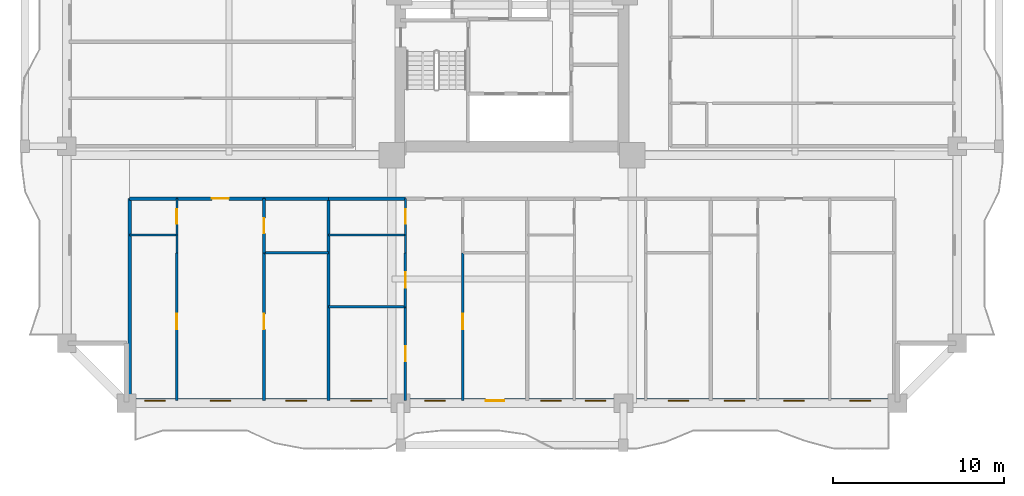
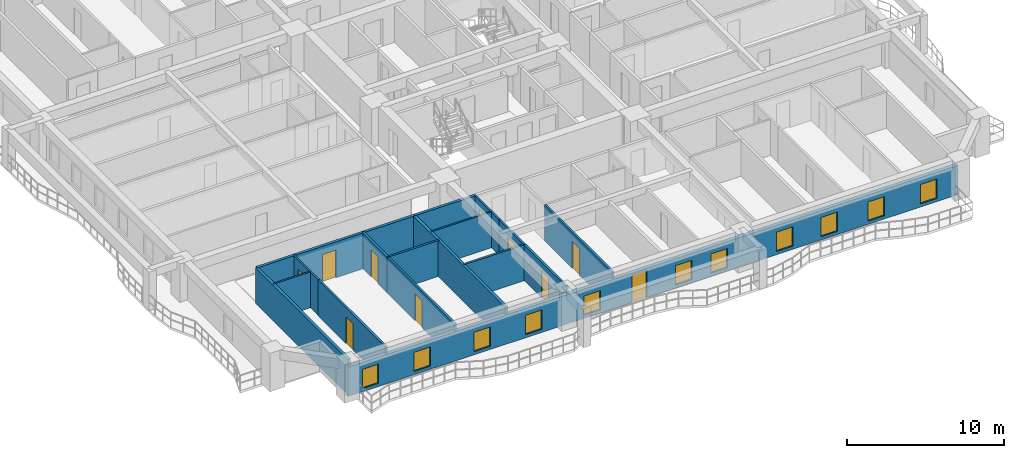
# One storey, part 2 of 16: 21 walls, 11 windows, 10 doors, 21 openings.
"""IFC4 building model written with IfcOpenShell, lengths in metres."""

from ifc_helpers import new_model, si_unit, direction, frame, frame_2d, origin, place, context, subcontext, project, spatial, rectangle, extrude, source, transform, mapped, material, layer, layer_set, type_object, element, fill, save


model = new_model("IFC4")

# Units and contexts
model_context = context("Model", 3, precision=1e-05, world=origin(), true_north=direction((0.0, 1.0)))
body_context = subcontext(model_context, "Body", "Model", "MODEL_VIEW")
ifc_project = project(units=[si_unit("LENGTHUNIT", "METRE"), si_unit("AREAUNIT", "SQUARE_METRE"), si_unit("VOLUMEUNIT", "CUBIC_METRE"), si_unit("PLANEANGLEUNIT", "RADIAN"), si_unit("MASSUNIT", "GRAM", prefix="KILO")], contexts=[model_context])

# Site, building, storey
site_placement = place(None, origin())
site = spatial("IfcSite", under=ifc_project, at=site_placement, CompositionType="ELEMENT")
building_placement = place(site_placement, origin())
building = spatial("IfcBuilding", under=site, at=building_placement, Name="Saelheon Loggia Tower", CompositionType="ELEMENT")
storey_placement = place(building_placement, frame((0.0, 0.0, 28.39990234375)))
storey = spatial("IfcBuildingStorey", under=building, at=storey_placement, Name="L08", CompositionType="ELEMENT", Elevation=28.39990234375)

# Wall, openings, windows, door
ifc_material_1 = material(Name="Architectural Precast Concrete C40/50", Category="concrete")
ifc_layer_1 = layer(ifc_material_1, 0.280029296875)
ifc_layer_set_1 = layer_set([ifc_layer_1], Name="Architectural Precast Concrete C40/50")
wall_type_1 = type_object("IfcWallType", Name="Wall_Ext_Loggia_280", PredefinedType="SOLIDWALL", material=ifc_layer_set_1)
wall_1_placement = place(storey_placement, frame((15.5, 3.139892578125, 0.0), z_axis=(0.0, 0.0, 1.0), x_axis=(1.0, 0.0, 0.0)))
wall_1 = element("IfcWall", 1, at=wall_1_placement, inside=storey, type_object=wall_type_1, Name="L08 South Loggia Inner Wall", PredefinedType="SOLIDWALL", context=body_context, shape_type="SweptSolid", body=[
    extrude(rectangle(XDim=45.0, YDim=0.280029296875, at=frame_2d((22.5, 0.0))), origin(), (0.0, 0.0, 1.0), 2.280029296875),
])
opening_1_placement = place(wall_1_placement, frame((1.06005859375, 0.0, 0.25)))
opening_1 = element("IfcOpeningElement", 2, at=opening_1_placement, cuts=wall_1, Name="Opening WN-03", PredefinedType="OPENING", context=body_context, shape_type="SweptSolid", body=[
    extrude(rectangle(XDim=1.199951171875, YDim=1.5, at=frame_2d((0.60009765625, 0.75))), frame((0.0, 0.152099609375, 0.0), z_axis=(0.0, -1.0, 0.0), x_axis=(1.0, 0.0, 0.0)), (0.0, 0.0, 1.0), 0.303955078125),
])
opening_2_placement = place(wall_1_placement, frame((4.875244140625, 0.0, 0.25)))
opening_2 = element("IfcOpeningElement", 3, at=opening_2_placement, cuts=wall_1, Name="Opening WN-03", PredefinedType="OPENING", context=body_context, shape_type="SweptSolid", body=[
    extrude(rectangle(XDim=1.199951171875, YDim=1.5, at=frame_2d((0.60009765625, 0.75))), frame((0.0, 0.152099609375, 0.0), z_axis=(0.0, -1.0, 0.0), x_axis=(1.0, 0.0, 0.0)), (0.0, 0.0, 1.0), 0.303955078125),
])
opening_3_placement = place(wall_1_placement, frame((9.303466796875, 0.0, 0.25)))
opening_3 = element("IfcOpeningElement", 4, at=opening_3_placement, cuts=wall_1, Name="Opening WN-03", PredefinedType="OPENING", context=body_context, shape_type="SweptSolid", body=[
    extrude(rectangle(XDim=1.199951171875, YDim=1.5, at=frame_2d((0.60009765625, 0.75))), frame((0.0, 0.152099609375, 0.0), z_axis=(0.0, -1.0, 0.0), x_axis=(1.0, 0.0, 0.0)), (0.0, 0.0, 1.0), 0.303955078125),
])
opening_4_placement = place(wall_1_placement, frame((13.09814453125, 0.0, 0.25)))
opening_4 = element("IfcOpeningElement", 5, at=opening_4_placement, cuts=wall_1, Name="Opening WN-03", PredefinedType="OPENING", context=body_context, shape_type="SweptSolid", body=[
    extrude(rectangle(XDim=1.199951171875, YDim=1.5, at=frame_2d((0.60009765625, 0.75))), frame((0.0, 0.152099609375, 0.0), z_axis=(0.0, -1.0, 0.0), x_axis=(1.0, 0.0, 0.0)), (0.0, 0.0, 1.0), 0.303955078125),
])
opening_5_placement = place(wall_1_placement, frame((17.408447265625, 0.0, 0.25)))
opening_5 = element("IfcOpeningElement", 6, at=opening_5_placement, cuts=wall_1, Name="Opening WN-03", PredefinedType="OPENING", context=body_context, shape_type="SweptSolid", body=[
    extrude(rectangle(XDim=1.199951171875, YDim=1.5, at=frame_2d((0.60009765625, 0.75))), frame((0.0, 0.152099609375, 0.0), z_axis=(0.0, -1.0, 0.0), x_axis=(1.0, 0.0, 0.0)), (0.0, 0.0, 1.0), 0.303955078125),
])
opening_6_placement = place(wall_1_placement, frame((22.059814453125, 0.0, 0.0), z_axis=(0.0, 0.0, 1.0), x_axis=(-1.0, 0.0, 0.0)))
opening_6 = element("IfcOpeningElement", 7, at=opening_6_placement, cuts=wall_1, Name="Opening TD1", PredefinedType="OPENING", context=body_context, shape_type="SweptSolid", body=[
    extrude(rectangle(XDim=1.10009765625, YDim=2.14990234375, at=frame_2d((0.550048828125, 1.074951171875))), frame((0.0, 0.152099609375, 0.0), z_axis=(0.0, -1.0, 0.0), x_axis=(1.0, 0.0, 0.0)), (0.0, 0.0, 1.0), 0.303955078125),
])
opening_7_placement = place(wall_1_placement, frame((24.167724609375, 0.0, 0.25)))
opening_7 = element("IfcOpeningElement", 8, at=opening_7_placement, cuts=wall_1, Name="Opening WN-03", PredefinedType="OPENING", context=body_context, shape_type="SweptSolid", body=[
    extrude(rectangle(XDim=1.199951171875, YDim=1.5, at=frame_2d((0.60009765625, 0.75))), frame((0.0, 0.152099609375, 0.0), z_axis=(0.0, -1.0, 0.0), x_axis=(1.0, 0.0, 0.0)), (0.0, 0.0, 1.0), 0.303955078125),
])
opening_8_placement = place(wall_1_placement, frame((26.7763671875, 0.0, 0.25)))
opening_8 = element("IfcOpeningElement", 9, at=opening_8_placement, cuts=wall_1, Name="Opening WN-03", PredefinedType="OPENING", context=body_context, shape_type="SweptSolid", body=[
    extrude(rectangle(XDim=1.199951171875, YDim=1.5, at=frame_2d((0.60009765625, 0.75))), frame((0.0, 0.152099609375, 0.0), z_axis=(0.0, -1.0, 0.0), x_axis=(1.0, 0.0, 0.0)), (0.0, 0.0, 1.0), 0.303955078125),
])
opening_9_placement = place(wall_1_placement, frame((31.61328125, 0.0, 0.25)))
opening_9 = element("IfcOpeningElement", 10, at=opening_9_placement, cuts=wall_1, Name="Opening WN-03", PredefinedType="OPENING", context=body_context, shape_type="SweptSolid", body=[
    extrude(rectangle(XDim=1.199951171875, YDim=1.5, at=frame_2d((0.60009765625, 0.75))), frame((0.0, 0.152099609375, 0.0), z_axis=(0.0, -1.0, 0.0), x_axis=(1.0, 0.0, 0.0)), (0.0, 0.0, 1.0), 0.303955078125),
])
opening_10_placement = place(wall_1_placement, frame((34.88134765625, 0.0, 0.25)))
opening_10 = element("IfcOpeningElement", 11, at=opening_10_placement, cuts=wall_1, Name="Opening WN-03", PredefinedType="OPENING", context=body_context, shape_type="SweptSolid", body=[
    extrude(rectangle(XDim=1.199951171875, YDim=1.5, at=frame_2d((0.60009765625, 0.75))), frame((0.0, 0.152099609375, 0.0), z_axis=(0.0, -1.0, 0.0), x_axis=(1.0, 0.0, 0.0)), (0.0, 0.0, 1.0), 0.303955078125),
])
opening_11_placement = place(wall_1_placement, frame((38.355224609375, 0.0, 0.25)))
opening_11 = element("IfcOpeningElement", 12, at=opening_11_placement, cuts=wall_1, Name="Opening WN-03", PredefinedType="OPENING", context=body_context, shape_type="SweptSolid", body=[
    extrude(rectangle(XDim=1.199951171875, YDim=1.5, at=frame_2d((0.60009765625, 0.75))), frame((0.0, 0.152099609375, 0.0), z_axis=(0.0, -1.0, 0.0), x_axis=(1.0, 0.0, 0.0)), (0.0, 0.0, 1.0), 0.303955078125),
])
opening_12_placement = place(wall_1_placement, frame((42.23193359375, 0.0, 0.25)))
opening_12 = element("IfcOpeningElement", 13, at=opening_12_placement, cuts=wall_1, Name="Opening WN-03", PredefinedType="OPENING", context=body_context, shape_type="SweptSolid", body=[
    extrude(rectangle(XDim=1.199951171875, YDim=1.5, at=frame_2d((0.60009765625, 0.75))), frame((0.0, 0.152099609375, 0.0), z_axis=(0.0, -1.0, 0.0), x_axis=(1.0, 0.0, 0.0)), (0.0, 0.0, 1.0), 0.303955078125),
])
ifc_material_2 = material(Name="Thermal-Break Aluminium and Triple Low-E Glass", Category="aluminium")
window_type = type_object("IfcWindowType", Name="Win_Bedroom_1200x1500", PartitioningType="SINGLE_PANEL", PredefinedType="WINDOW", material=ifc_material_2)
shared_shape_1 = source(origin(), body_context, "Body", "SweptSolid", [
    extrude(rectangle(XDim=1.199951171875, YDim=1.5, at=frame_2d((0.60009765625, 0.75))), frame((0.0, 0.030029296875, 0.0), z_axis=(0.0, -1.0, 0.0), x_axis=(1.0, 0.0, 0.0)), (0.0, 0.0, 1.0), 0.06005859375),
])
window_1_placement = place(opening_1_placement, origin())
window_1 = element("IfcWindow", 14, at=window_1_placement, inside=storey, type_object=window_type, Name="L08 S Dwelling Window 1", OverallHeight=1.5, OverallWidth=1.199951171875, PartitioningType="SINGLE_PANEL", PredefinedType="WINDOW", context=body_context, shape_type="MappedRepresentation", body=[
    mapped(shared_shape_1, transform((0.0, 0.0, 0.0), scale=1.0)),
])
fill(opening_1, window_1)
window_2_placement = place(opening_2_placement, origin())
window_2 = element("IfcWindow", 15, at=window_2_placement, inside=storey, type_object=window_type, Name="L08 S Dwelling Window 2", OverallHeight=1.5, OverallWidth=1.199951171875, PartitioningType="SINGLE_PANEL", PredefinedType="WINDOW", context=body_context, shape_type="MappedRepresentation", body=[
    mapped(shared_shape_1, transform((0.0, 0.0, 0.0), scale=1.0)),
])
fill(opening_2, window_2)
window_3_placement = place(opening_3_placement, origin())
window_3 = element("IfcWindow", 16, at=window_3_placement, inside=storey, type_object=window_type, Name="L08 S Dwelling Window 3", OverallHeight=1.5, OverallWidth=1.199951171875, PartitioningType="SINGLE_PANEL", PredefinedType="WINDOW", context=body_context, shape_type="MappedRepresentation", body=[
    mapped(shared_shape_1, transform((0.0, 0.0, 0.0), scale=1.0)),
])
fill(opening_3, window_3)
window_4_placement = place(opening_4_placement, origin())
window_4 = element("IfcWindow", 17, at=window_4_placement, inside=storey, type_object=window_type, Name="L08 S Dwelling Window 4", OverallHeight=1.5, OverallWidth=1.199951171875, PartitioningType="SINGLE_PANEL", PredefinedType="WINDOW", context=body_context, shape_type="MappedRepresentation", body=[
    mapped(shared_shape_1, transform((0.0, 0.0, 0.0), scale=1.0)),
])
fill(opening_4, window_4)
window_5_placement = place(opening_5_placement, origin())
window_5 = element("IfcWindow", 18, at=window_5_placement, inside=storey, type_object=window_type, Name="L08 S Dwelling Window 5", OverallHeight=1.5, OverallWidth=1.199951171875, PartitioningType="SINGLE_PANEL", PredefinedType="WINDOW", context=body_context, shape_type="MappedRepresentation", body=[
    mapped(shared_shape_1, transform((0.0, 0.0, 0.0), scale=1.0)),
])
fill(opening_5, window_5)
window_6_placement = place(opening_7_placement, origin())
window_6 = element("IfcWindow", 19, at=window_6_placement, inside=storey, type_object=window_type, Name="L08 S Dwelling Window 7", OverallHeight=1.5, OverallWidth=1.199951171875, PartitioningType="SINGLE_PANEL", PredefinedType="WINDOW", context=body_context, shape_type="MappedRepresentation", body=[
    mapped(shared_shape_1, transform((0.0, 0.0, 0.0), scale=1.0)),
])
fill(opening_7, window_6)
window_7_placement = place(opening_8_placement, origin())
window_7 = element("IfcWindow", 20, at=window_7_placement, inside=storey, type_object=window_type, Name="L08 S Dwelling Window 8", OverallHeight=1.5, OverallWidth=1.199951171875, PartitioningType="SINGLE_PANEL", PredefinedType="WINDOW", context=body_context, shape_type="MappedRepresentation", body=[
    mapped(shared_shape_1, transform((0.0, 0.0, 0.0), scale=1.0)),
])
fill(opening_8, window_7)
window_8_placement = place(opening_9_placement, origin())
window_8 = element("IfcWindow", 21, at=window_8_placement, inside=storey, type_object=window_type, Name="L08 S Dwelling Window 9", OverallHeight=1.5, OverallWidth=1.199951171875, PartitioningType="SINGLE_PANEL", PredefinedType="WINDOW", context=body_context, shape_type="MappedRepresentation", body=[
    mapped(shared_shape_1, transform((0.0, 0.0, 0.0), scale=1.0)),
])
fill(opening_9, window_8)
window_9_placement = place(opening_10_placement, origin())
window_9 = element("IfcWindow", 22, at=window_9_placement, inside=storey, type_object=window_type, Name="L08 S Dwelling Window 10", OverallHeight=1.5, OverallWidth=1.199951171875, PartitioningType="SINGLE_PANEL", PredefinedType="WINDOW", context=body_context, shape_type="MappedRepresentation", body=[
    mapped(shared_shape_1, transform((0.0, 0.0, 0.0), scale=1.0)),
])
fill(opening_10, window_9)
window_10_placement = place(opening_11_placement, origin())
window_10 = element("IfcWindow", 23, at=window_10_placement, inside=storey, type_object=window_type, Name="L08 S Dwelling Window 11", OverallHeight=1.5, OverallWidth=1.199951171875, PartitioningType="SINGLE_PANEL", PredefinedType="WINDOW", context=body_context, shape_type="MappedRepresentation", body=[
    mapped(shared_shape_1, transform((0.0, 0.0, 0.0), scale=1.0)),
])
fill(opening_11, window_10)
window_11_placement = place(opening_12_placement, origin())
window_11 = element("IfcWindow", 24, at=window_11_placement, inside=storey, type_object=window_type, Name="L08 S Dwelling Window 12", OverallHeight=1.5, OverallWidth=1.199951171875, PartitioningType="SINGLE_PANEL", PredefinedType="WINDOW", context=body_context, shape_type="MappedRepresentation", body=[
    mapped(shared_shape_1, transform((0.0, 0.0, 0.0), scale=1.0)),
])
fill(opening_12, window_11)
ifc_material_3 = material(Name="Thermal-Break Aluminium Glazed Door", Category="aluminium")
door_type_1 = type_object("IfcDoorType", Name="Door_Terrace_TD1", OperationType="NOTDEFINED", PredefinedType="DOOR", material=ifc_material_3)
shared_shape_2 = source(origin(), body_context, "Body", "SweptSolid", [
    extrude(rectangle(XDim=1.10009765625, YDim=2.14990234375, at=frame_2d((0.550048828125, 1.074951171875))), frame((0.0, 0.02490234375, 0.0), z_axis=(0.0, -1.0, 0.0), x_axis=(1.0, 0.0, 0.0)), (0.0, 0.0, 1.0), 0.050048828125),
])
door_1_placement = place(opening_6_placement, origin())
door_1 = element("IfcDoor", 25, at=door_1_placement, inside=storey, type_object=door_type_1, Name="L08 S Loggia Access Door", OperationType="SINGLE_SWING_RIGHT", OverallHeight=2.14990234375, OverallWidth=1.10009765625, PredefinedType="DOOR", context=body_context, shape_type="MappedRepresentation", body=[
    mapped(shared_shape_2, transform((0.0, 0.0, 0.0), scale=1.0)),
])
fill(opening_6, door_1)

# Wall
ifc_material_4 = material(Name="Lightweight Autoclaved Aerated Concrete Block and Acoustic Gypsum", Category="concrete")
ifc_layer_2 = layer(ifc_material_4, 0.14990234375)
ifc_layer_set_2 = layer_set([ifc_layer_2], Name="Lightweight Autoclaved Aerated Concrete Block and Acoustic Gypsum")
wall_type_2 = type_object("IfcWallType", Name="Wall_Part_150", PredefinedType="PARTITIONING", material=ifc_layer_set_2)
wall_2_placement = place(storey_placement, frame((23.5205078125, 11.780029296875, 0.0), z_axis=(0.0, 0.0, 1.0), x_axis=(1.0, 0.0, 0.0)))
element("IfcWall", 26, at=wall_2_placement, inside=storey, type_object=wall_type_2, Name="L08 S Partition V07", PredefinedType="PARTITIONING", context=body_context, shape_type="SweptSolid", body=[
    extrude(rectangle(XDim=3.765869140625, YDim=0.14990234375, at=frame_2d((1.8828125, 0.0))), origin(), (0.0, 0.0, 1.0), 2.7900390625),
])

# Wall, opening, door
wall_3_placement = place(storey_placement, frame((18.429931640625, 11.780029296875, 0.0), z_axis=(0.0, 0.0, 1.0), x_axis=(0.0, -1.0, 0.0)))
wall_3 = element("IfcWall", 27, at=wall_3_placement, inside=storey, type_object=wall_type_2, Name="L08 S Partition U10", PredefinedType="PARTITIONING", context=body_context, shape_type="SweptSolid", body=[
    extrude(rectangle(XDim=8.630126953125, YDim=0.14990234375, at=frame_2d((4.31494140625, 0.0))), origin(), (0.0, 0.0, 1.0), 2.7900390625),
])
opening_13_placement = place(wall_3_placement, frame((3.56298828125, 0.0, 0.0)))
opening_13 = element("IfcOpeningElement", 28, at=opening_13_placement, cuts=wall_3, Name="Opening D-IN2", PredefinedType="OPENING", context=body_context, shape_type="SweptSolid", body=[
    extrude(rectangle(XDim=0.89990234375, YDim=2.10009765625, at=frame_2d((0.449951171875, 1.050048828125))), frame((0.0, 0.0869140625, 0.0), z_axis=(0.0, -1.0, 0.0), x_axis=(1.0, 0.0, 0.0)), (0.0, 0.0, 1.0), 0.173828125),
])
ifc_material_5 = material(Name="Engineered Oak Flush Door", Category="timber")
door_type_2 = type_object("IfcDoorType", Name="Door_Int_900", OperationType="NOTDEFINED", PredefinedType="DOOR", material=ifc_material_5)
shared_shape_3 = source(origin(), body_context, "Body", "SweptSolid", [
    extrude(rectangle(XDim=0.89990234375, YDim=2.10009765625, at=frame_2d((0.449951171875, 1.050048828125))), frame((0.0, 0.02490234375, 0.0), z_axis=(0.0, -1.0, 0.0), x_axis=(1.0, 0.0, 0.0)), (0.0, 0.0, 1.0), 0.050048828125),
])
door_2_placement = place(opening_13_placement, origin())
door_2 = element("IfcDoor", 29, at=door_2_placement, inside=storey, type_object=door_type_2, Name="Unit U01 Kitchen Door", OperationType="SINGLE_SWING_LEFT", OverallHeight=2.10009765625, OverallWidth=0.89990234375, PredefinedType="DOOR", context=body_context, shape_type="MappedRepresentation", body=[
    mapped(shared_shape_3, transform((0.0, 0.0, 0.0), scale=1.0)),
])
fill(opening_13, door_2)

wall_4_placement = place(storey_placement, frame((23.5205078125, 14.949951171875, 0.0), z_axis=(0.0, 0.0, 1.0), x_axis=(0.0, -1.0, 0.0)))
wall_4 = element("IfcWall", 30, at=wall_4_placement, inside=storey, type_object=wall_type_2, Name="L08 S Partition U11", PredefinedType="PARTITIONING", context=body_context, shape_type="SweptSolid", body=[
    extrude(rectangle(XDim=3.169921875, YDim=0.14990234375, at=frame_2d((1.5849609375, 0.0))), origin(), (0.0, 0.0, 1.0), 2.7900390625),
])
opening_14_placement = place(wall_4_placement, frame((1.135009765625, 0.0, 0.0)))
opening_14 = element("IfcOpeningElement", 31, at=opening_14_placement, cuts=wall_4, Name="Opening D-IN2", PredefinedType="OPENING", context=body_context, shape_type="SweptSolid", body=[
    extrude(rectangle(XDim=0.89990234375, YDim=2.10009765625, at=frame_2d((0.449951171875, 1.050048828125))), frame((0.0, 0.0869140625, 0.0), z_axis=(0.0, -1.0, 0.0), x_axis=(1.0, 0.0, 0.0)), (0.0, 0.0, 1.0), 0.173828125),
])
door_3_placement = place(opening_14_placement, origin())
door_3 = element("IfcDoor", 32, at=door_3_placement, inside=storey, type_object=door_type_2, Name="Unit U01 Home Office Door", OperationType="SINGLE_SWING_RIGHT", OverallHeight=2.10009765625, OverallWidth=0.89990234375, PredefinedType="DOOR", context=body_context, shape_type="MappedRepresentation", body=[
    mapped(shared_shape_3, transform((0.0, 0.0, 0.0), scale=1.0)),
])
fill(opening_14, door_3)

wall_5_placement = place(storey_placement, frame((23.5205078125, 11.780029296875, 0.0), z_axis=(0.0, 0.0, 1.0), x_axis=(0.0, -1.0, 0.0)))
wall_5 = element("IfcWall", 33, at=wall_5_placement, inside=storey, type_object=wall_type_2, Name="L08 S Partition U12", PredefinedType="PARTITIONING", context=body_context, shape_type="SweptSolid", body=[
    extrude(rectangle(XDim=8.630126953125, YDim=0.14990234375, at=frame_2d((4.31494140625, 0.0))), origin(), (0.0, 0.0, 1.0), 2.7900390625),
])
opening_15_placement = place(wall_5_placement, frame((3.56298828125, 0.0, 0.0)))
opening_15 = element("IfcOpeningElement", 34, at=opening_15_placement, cuts=wall_5, Name="Opening D-IN2", PredefinedType="OPENING", context=body_context, shape_type="SweptSolid", body=[
    extrude(rectangle(XDim=0.89990234375, YDim=2.10009765625, at=frame_2d((0.449951171875, 1.050048828125))), frame((0.0, 0.0869140625, 0.0), z_axis=(0.0, -1.0, 0.0), x_axis=(1.0, 0.0, 0.0)), (0.0, 0.0, 1.0), 0.173828125),
])
door_4_placement = place(opening_15_placement, origin())
door_4 = element("IfcDoor", 35, at=door_4_placement, inside=storey, type_object=door_type_2, Name="Unit U01 Bedroom 1 Door", OperationType="SINGLE_SWING_LEFT", OverallHeight=2.10009765625, OverallWidth=0.89990234375, PredefinedType="DOOR", context=body_context, shape_type="MappedRepresentation", body=[
    mapped(shared_shape_3, transform((0.0, 0.0, 0.0), scale=1.0)),
])
fill(opening_15, door_4)

# Wall
wall_6_placement = place(storey_placement, frame((27.286376953125, 8.6298828125, 0.0), z_axis=(0.0, 0.0, 1.0), x_axis=(1.0, 0.0, 0.0)))
element("IfcWall", 36, at=wall_6_placement, inside=storey, type_object=wall_type_2, Name="L08 S Partition V21", PredefinedType="PARTITIONING", context=body_context, shape_type="SweptSolid", body=[
    extrude(rectangle(XDim=4.49365234375, YDim=0.14990234375, at=frame_2d((2.246826171875, 0.0))), origin(), (0.0, 0.0, 1.0), 2.7900390625),
])

# Wall, opening, door
wall_7_placement = place(storey_placement, frame((31.780029296875, 11.780029296875, 0.0), z_axis=(0.0, 0.0, 1.0), x_axis=(0.0, -1.0, 0.0)))
wall_7 = element("IfcWall", 37, at=wall_7_placement, inside=storey, type_object=wall_type_2, Name="L08 S Partition U22", PredefinedType="PARTITIONING", context=body_context, shape_type="SweptSolid", body=[
    extrude(rectangle(XDim=3.150146484375, YDim=0.14990234375, at=frame_2d((1.5751953125, 0.0))), origin(), (0.0, 0.0, 1.0), 2.7900390625),
])
opening_16_placement = place(wall_7_placement, frame((1.125, 0.0, 0.0)))
opening_16 = element("IfcOpeningElement", 38, at=opening_16_placement, cuts=wall_7, Name="Opening D-IN2", PredefinedType="OPENING", context=body_context, shape_type="SweptSolid", body=[
    extrude(rectangle(XDim=0.89990234375, YDim=2.10009765625, at=frame_2d((0.449951171875, 1.050048828125))), frame((0.0, 0.0869140625, 0.0), z_axis=(0.0, -1.0, 0.0), x_axis=(1.0, 0.0, 0.0)), (0.0, 0.0, 1.0), 0.173828125),
])
door_5_placement = place(opening_16_placement, origin())
door_5 = element("IfcDoor", 39, at=door_5_placement, inside=storey, type_object=door_type_2, Name="Unit U02 Kitchen Door", OperationType="SINGLE_SWING_RIGHT", OverallHeight=2.10009765625, OverallWidth=0.89990234375, PredefinedType="DOOR", context=body_context, shape_type="MappedRepresentation", body=[
    mapped(shared_shape_3, transform((0.0, 0.0, 0.0), scale=1.0)),
])
fill(opening_16, door_5)

wall_8_placement = place(storey_placement, frame((31.780029296875, 8.6298828125, 0.0), z_axis=(0.0, 0.0, 1.0), x_axis=(0.0, -1.0, 0.0)))
wall_8 = element("IfcWall", 40, at=wall_8_placement, inside=storey, type_object=wall_type_2, Name="L08 S Partition U23", PredefinedType="PARTITIONING", context=body_context, shape_type="SweptSolid", body=[
    extrude(rectangle(XDim=5.47998046875, YDim=0.14990234375, at=frame_2d((2.739990234375, 0.0))), origin(), (0.0, 0.0, 1.0), 2.7900390625),
])
opening_17_placement = place(wall_8_placement, frame((2.2900390625, 0.0, 0.0)))
opening_17 = element("IfcOpeningElement", 41, at=opening_17_placement, cuts=wall_8, Name="Opening D-IN2", PredefinedType="OPENING", context=body_context, shape_type="SweptSolid", body=[
    extrude(rectangle(XDim=0.89990234375, YDim=2.10009765625, at=frame_2d((0.449951171875, 1.050048828125))), frame((0.0, 0.0869140625, 0.0), z_axis=(0.0, -1.0, 0.0), x_axis=(1.0, 0.0, 0.0)), (0.0, 0.0, 1.0), 0.173828125),
])
door_6_placement = place(opening_17_placement, origin())
door_6 = element("IfcDoor", 42, at=door_6_placement, inside=storey, type_object=door_type_2, Name="Unit U02 Utility Door", OperationType="SINGLE_SWING_LEFT", OverallHeight=2.10009765625, OverallWidth=0.89990234375, PredefinedType="DOOR", context=body_context, shape_type="MappedRepresentation", body=[
    mapped(shared_shape_3, transform((0.0, 0.0, 0.0), scale=1.0)),
])
fill(opening_17, door_6)

wall_9_placement = place(storey_placement, frame((35.126953125, 11.780029296875, 0.0), z_axis=(0.0, 0.0, 1.0), x_axis=(0.0, -1.0, 0.0)))
wall_9 = element("IfcWall", 43, at=wall_9_placement, inside=storey, type_object=wall_type_2, Name="L08 S Partition U25", PredefinedType="PARTITIONING", context=body_context, shape_type="SweptSolid", body=[
    extrude(rectangle(XDim=8.630126953125, YDim=0.14990234375, at=frame_2d((4.31494140625, 0.0))), origin(), (0.0, 0.0, 1.0), 2.7900390625),
])
opening_18_placement = place(wall_9_placement, frame((3.56298828125, 0.0, 0.0)))
opening_18 = element("IfcOpeningElement", 44, at=opening_18_placement, cuts=wall_9, Name="Opening D-IN2", PredefinedType="OPENING", context=body_context, shape_type="SweptSolid", body=[
    extrude(rectangle(XDim=0.89990234375, YDim=2.10009765625, at=frame_2d((0.449951171875, 1.050048828125))), frame((0.0, 0.0869140625, 0.0), z_axis=(0.0, -1.0, 0.0), x_axis=(1.0, 0.0, 0.0)), (0.0, 0.0, 1.0), 0.173828125),
])
door_7_placement = place(opening_18_placement, origin())
door_7 = element("IfcDoor", 45, at=door_7_placement, inside=storey, type_object=door_type_2, Name="Unit U02 Bedroom 1 Door", OperationType="SINGLE_SWING_LEFT", OverallHeight=2.10009765625, OverallWidth=0.89990234375, PredefinedType="DOOR", context=body_context, shape_type="MappedRepresentation", body=[
    mapped(shared_shape_3, transform((0.0, 0.0, 0.0), scale=1.0)),
])
fill(opening_18, door_7)

# Walls
ifc_material_6 = material(Name="Double Acoustic Stud and Fireboard Partition", Category="gypsum")
ifc_layer_3 = layer(ifc_material_6, 0.199951171875)
ifc_layer_set_3 = layer_set([ifc_layer_3], Name="Double Acoustic Stud and Fireboard Partition")
wall_type_3 = type_object("IfcWallType", Name="Wall_Party_200", PredefinedType="PARTITIONING", material=ifc_layer_set_3)
wall_10_placement = place(storey_placement, frame((15.679931640625, 14.949951171875, 0.0), z_axis=(0.0, 0.0, 1.0), x_axis=(0.0, -1.0, 0.0)))
element("IfcWall", 46, at=wall_10_placement, inside=storey, type_object=wall_type_3, Name="L08 S Partition U01", PredefinedType="PARTITIONING", context=body_context, shape_type="SweptSolid", body=[
    extrude(rectangle(XDim=11.800048828125, YDim=0.199951171875, at=frame_2d((5.89990234375, 0.0))), origin(), (0.0, 0.0, 1.0), 2.7900390625),
])
wall_11_placement = place(storey_placement, frame((15.679931640625, 14.949951171875, 0.0), z_axis=(0.0, 0.0, 1.0), x_axis=(1.0, 0.0, 0.0)))
element("IfcWall", 47, at=wall_11_placement, inside=storey, type_object=wall_type_3, Name="L08 S Partition V03", PredefinedType="PARTITIONING", context=body_context, shape_type="SweptSolid", body=[
    extrude(rectangle(XDim=2.75, YDim=0.199951171875, at=frame_2d((1.375, 0.0))), origin(), (0.0, 0.0, 1.0), 2.7900390625),
])

# Wall, opening, door
wall_12_placement = place(storey_placement, frame((18.429931640625, 14.949951171875, 0.0), z_axis=(0.0, 0.0, 1.0), x_axis=(1.0, 0.0, 0.0)))
wall_12 = element("IfcWall", 48, at=wall_12_placement, inside=storey, type_object=wall_type_3, Name="L08 S Partition V04", PredefinedType="PARTITIONING", context=body_context, shape_type="SweptSolid", body=[
    extrude(rectangle(XDim=5.090576171875, YDim=0.199951171875, at=frame_2d((2.54541015625, 0.0))), origin(), (0.0, 0.0, 1.0), 2.7900390625),
])
opening_19_placement = place(wall_12_placement, frame((2.045166015625, 0.0, 0.0)))
opening_19 = element("IfcOpeningElement", 49, at=opening_19_placement, cuts=wall_12, Name="Opening D-FD1", PredefinedType="OPENING", context=body_context, shape_type="SweptSolid", body=[
    extrude(rectangle(XDim=1.0, YDim=2.14990234375, at=frame_2d((0.5, 1.074951171875))), frame((0.0, 0.112060546875, 0.0), z_axis=(0.0, -1.0, 0.0), x_axis=(1.0, 0.0, 0.0)), (0.0, 0.0, 1.0), 0.223876953125),
])
ifc_material_7 = material(Name="Fire-Rated Engineered Timber Entrance Door", Category="wood")
door_type_3 = type_object("IfcDoorType", Name="Door_Flat_FD30S", OperationType="NOTDEFINED", PredefinedType="DOOR", material=ifc_material_7)
shared_shape_4 = source(origin(), body_context, "Body", "SweptSolid", [
    extrude(rectangle(XDim=1.0, YDim=2.14990234375, at=frame_2d((0.5, 1.074951171875))), frame((0.0, 0.02490234375, 0.0), z_axis=(0.0, -1.0, 0.0), x_axis=(1.0, 0.0, 0.0)), (0.0, 0.0, 1.0), 0.050048828125),
])
door_8_placement = place(opening_19_placement, origin())
door_8 = element("IfcDoor", 50, at=door_8_placement, inside=storey, type_object=door_type_3, Name="Unit U01 Entrance Door", OperationType="SINGLE_SWING_LEFT", OverallHeight=2.14990234375, OverallWidth=1.0, PredefinedType="DOOR", context=body_context, shape_type="MappedRepresentation", body=[
    mapped(shared_shape_4, transform((0.0, 0.0, 0.0), scale=1.0)),
])
fill(opening_19, door_8)

# Walls
wall_13_placement = place(storey_placement, frame((23.5205078125, 14.949951171875, 0.0), z_axis=(0.0, 0.0, 1.0), x_axis=(1.0, 0.0, 0.0)))
element("IfcWall", 51, at=wall_13_placement, inside=storey, type_object=wall_type_3, Name="L08 S Partition V05", PredefinedType="PARTITIONING", context=body_context, shape_type="SweptSolid", body=[
    extrude(rectangle(XDim=3.765869140625, YDim=0.199951171875, at=frame_2d((1.8828125, 0.0))), origin(), (0.0, 0.0, 1.0), 2.7900390625),
])
wall_14_placement = place(storey_placement, frame((27.286376953125, 14.949951171875, 0.0), z_axis=(0.0, 0.0, 1.0), x_axis=(0.0, -1.0, 0.0)))
element("IfcWall", 52, at=wall_14_placement, inside=storey, type_object=wall_type_3, Name="L08 S Partition U13", PredefinedType="PARTITIONING", context=body_context, shape_type="SweptSolid", body=[
    extrude(rectangle(XDim=11.800048828125, YDim=0.199951171875, at=frame_2d((5.89990234375, 0.0))), origin(), (0.0, 0.0, 1.0), 2.7900390625),
])
wall_15_placement = place(storey_placement, frame((27.286376953125, 14.949951171875, 0.0), z_axis=(0.0, 0.0, 1.0), x_axis=(1.0, 0.0, 0.0)))
element("IfcWall", 53, at=wall_15_placement, inside=storey, type_object=wall_type_3, Name="L08 S Partition V14", PredefinedType="PARTITIONING", context=body_context, shape_type="SweptSolid", body=[
    extrude(rectangle(XDim=4.49365234375, YDim=0.199951171875, at=frame_2d((2.246826171875, 0.0))), origin(), (0.0, 0.0, 1.0), 2.7900390625),
])
ifc_material_8 = material(Name="Moisture-Resistant Cement Board Partition", Category="gypsum")
ifc_layer_4 = layer(ifc_material_8, 0.1201171875)
ifc_layer_set_4 = layer_set([ifc_layer_4], Name="Moisture-Resistant Cement Board Partition")
wall_type_4 = type_object("IfcWallType", Name="Wall_WetPart_120", PredefinedType="PARTITIONING", material=ifc_layer_set_4)
wall_16_placement = place(storey_placement, frame((15.679931640625, 12.830078125, 0.0), z_axis=(0.0, 0.0, 1.0), x_axis=(1.0, 0.0, 0.0)))
element("IfcWall", 54, at=wall_16_placement, inside=storey, type_object=wall_type_4, Name="L08 S Partition V06", PredefinedType="PARTITIONING", context=body_context, shape_type="SweptSolid", body=[
    extrude(rectangle(XDim=2.75, YDim=0.1201171875, at=frame_2d((1.375, 0.0))), origin(), (0.0, 0.0, 1.0), 2.7900390625),
])

# Wall, opening, door
wall_17_placement = place(storey_placement, frame((18.429931640625, 14.949951171875, 0.0), z_axis=(0.0, 0.0, 1.0), x_axis=(0.0, -1.0, 0.0)))
wall_17 = element("IfcWall", 55, at=wall_17_placement, inside=storey, type_object=wall_type_4, Name="L08 S Partition U08", PredefinedType="PARTITIONING", context=body_context, shape_type="SweptSolid", body=[
    extrude(rectangle(XDim=2.119873046875, YDim=0.1201171875, at=frame_2d((1.06005859375, 0.0))), origin(), (0.0, 0.0, 1.0), 2.7900390625),
])
opening_20_placement = place(wall_17_placement, frame((0.635009765625, 0.0, 0.0)))
opening_20 = element("IfcOpeningElement", 56, at=opening_20_placement, cuts=wall_17, Name="Opening D-BT1", PredefinedType="OPENING", context=body_context, shape_type="SweptSolid", body=[
    extrude(rectangle(XDim=0.85009765625, YDim=2.050048828125, at=frame_2d((0.425048828125, 1.02490234375))), frame((0.0, 0.072021484375, 0.0), z_axis=(0.0, -1.0, 0.0), x_axis=(1.0, 0.0, 0.0)), (0.0, 0.0, 1.0), 0.14404296875),
])
ifc_material_9 = material(Name="Moisture-Resistant Laminate Timber Door", Category="wood")
door_type_4 = type_object("IfcDoorType", Name="Door_Bath_850", OperationType="NOTDEFINED", PredefinedType="DOOR", material=ifc_material_9)
shared_shape_5 = source(origin(), body_context, "Body", "SweptSolid", [
    extrude(rectangle(XDim=0.85009765625, YDim=2.050048828125, at=frame_2d((0.425048828125, 1.02490234375))), frame((0.0, 0.02490234375, 0.0), z_axis=(0.0, -1.0, 0.0), x_axis=(1.0, 0.0, 0.0)), (0.0, 0.0, 1.0), 0.050048828125),
])
door_9_placement = place(opening_20_placement, origin())
door_9 = element("IfcDoor", 57, at=door_9_placement, inside=storey, type_object=door_type_4, Name="Unit U01 Bathroom Door", OperationType="SINGLE_SWING_RIGHT", OverallHeight=2.050048828125, OverallWidth=0.85009765625, PredefinedType="DOOR", context=body_context, shape_type="MappedRepresentation", body=[
    mapped(shared_shape_5, transform((0.0, 0.0, 0.0), scale=1.0)),
])
fill(opening_20, door_9)

# Walls
wall_18_placement = place(storey_placement, frame((18.429931640625, 12.830078125, 0.0), z_axis=(0.0, 0.0, 1.0), x_axis=(0.0, -1.0, 0.0)))
element("IfcWall", 58, at=wall_18_placement, inside=storey, type_object=wall_type_4, Name="L08 S Partition U09", PredefinedType="PARTITIONING", context=body_context, shape_type="SweptSolid", body=[
    extrude(rectangle(XDim=1.050048828125, YDim=0.1201171875, at=frame_2d((0.52490234375, 0.0))), origin(), (0.0, 0.0, 1.0), 2.7900390625),
])
wall_19_placement = place(storey_placement, frame((27.286376953125, 12.830078125, 0.0), z_axis=(0.0, 0.0, 1.0), x_axis=(1.0, 0.0, 0.0)))
element("IfcWall", 59, at=wall_19_placement, inside=storey, type_object=wall_type_4, Name="L08 S Partition V17", PredefinedType="PARTITIONING", context=body_context, shape_type="SweptSolid", body=[
    extrude(rectangle(XDim=4.49365234375, YDim=0.1201171875, at=frame_2d((2.246826171875, 0.0))), origin(), (0.0, 0.0, 1.0), 2.7900390625),
])

# Wall, opening, door
wall_20_placement = place(storey_placement, frame((31.780029296875, 14.949951171875, 0.0), z_axis=(0.0, 0.0, 1.0), x_axis=(0.0, -1.0, 0.0)))
wall_20 = element("IfcWall", 60, at=wall_20_placement, inside=storey, type_object=wall_type_4, Name="L08 S Partition U19", PredefinedType="PARTITIONING", context=body_context, shape_type="SweptSolid", body=[
    extrude(rectangle(XDim=2.119873046875, YDim=0.1201171875, at=frame_2d((1.06005859375, 0.0))), origin(), (0.0, 0.0, 1.0), 2.7900390625),
])
opening_21_placement = place(wall_20_placement, frame((0.635009765625, 0.0, 0.0)))
opening_21 = element("IfcOpeningElement", 61, at=opening_21_placement, cuts=wall_20, Name="Opening D-BT1", PredefinedType="OPENING", context=body_context, shape_type="SweptSolid", body=[
    extrude(rectangle(XDim=0.85009765625, YDim=2.050048828125, at=frame_2d((0.425048828125, 1.02490234375))), frame((0.0, 0.072021484375, 0.0), z_axis=(0.0, -1.0, 0.0), x_axis=(1.0, 0.0, 0.0)), (0.0, 0.0, 1.0), 0.14404296875),
])
door_10_placement = place(opening_21_placement, origin())
door_10 = element("IfcDoor", 62, at=door_10_placement, inside=storey, type_object=door_type_4, Name="Unit U02 Bathroom Door", OperationType="SINGLE_SWING_LEFT", OverallHeight=2.050048828125, OverallWidth=0.85009765625, PredefinedType="DOOR", context=body_context, shape_type="MappedRepresentation", body=[
    mapped(shared_shape_5, transform((0.0, 0.0, 0.0), scale=1.0)),
])
fill(opening_21, door_10)

# Wall
wall_21_placement = place(storey_placement, frame((31.780029296875, 12.830078125, 0.0), z_axis=(0.0, 0.0, 1.0), x_axis=(0.0, -1.0, 0.0)))
element("IfcWall", 63, at=wall_21_placement, inside=storey, type_object=wall_type_4, Name="L08 S Partition U20", PredefinedType="PARTITIONING", context=body_context, shape_type="SweptSolid", body=[
    extrude(rectangle(XDim=1.050048828125, YDim=0.1201171875, at=frame_2d((0.52490234375, 0.0))), origin(), (0.0, 0.0, 1.0), 2.7900390625),
])

save(model, "model.ifc")
